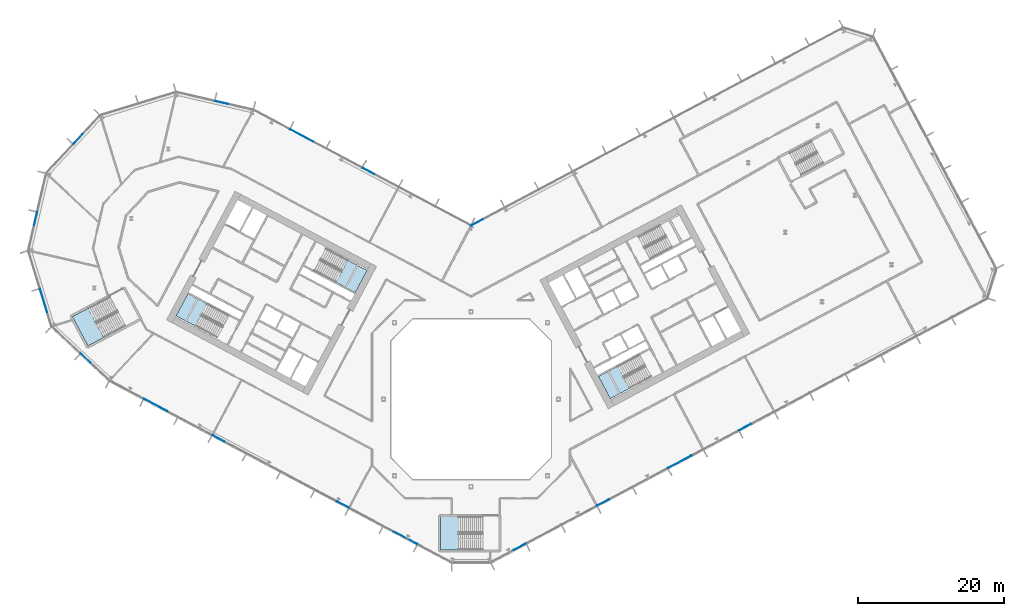
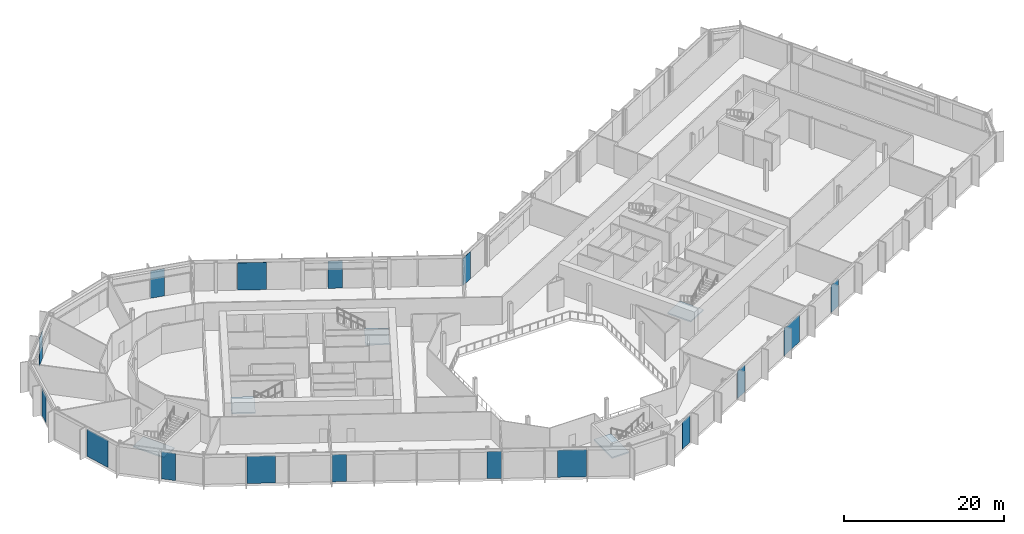
# One storey, part 10 of 30: 16 plates, 5 slabs, 14 elements without a shape of their own.
"""IFC4 building model written with IfcOpenShell, lengths in metres."""

from ifc_helpers import new_model, si_unit, direction, frame, origin, origin_2d, place, context, subcontext, project, spatial, polyline, rectangle, outline, extrude, material, layer, layer_set, type_object, element, aggregate, save


model = new_model("IFC4")

# Units and contexts
model_context = context("Model", 3, precision=1e-05, world=origin(), true_north=direction((0.0, 1.0)))
body_context = subcontext(model_context, "Body", "Model", "MODEL_VIEW")
ifc_project = project(units=[si_unit("LENGTHUNIT", "METRE"), si_unit("AREAUNIT", "SQUARE_METRE"), si_unit("VOLUMEUNIT", "CUBIC_METRE"), si_unit("PLANEANGLEUNIT", "RADIAN"), si_unit("MASSUNIT", "GRAM", prefix="KILO")], contexts=[model_context])

# Site, building, storey
site_placement = place(None, origin())
site = spatial("IfcSite", under=ifc_project, at=site_placement, CompositionType="ELEMENT")
building_placement = place(site_placement, origin())
building = spatial("IfcBuilding", under=site, at=building_placement, Name="Cormorant Relay Tower", CompositionType="ELEMENT")
storey_placement = place(building_placement, frame((0.0, 0.0, 84.60009765625)))
storey = spatial("IfcBuildingStorey", under=building, at=storey_placement, Name="L16", CompositionType="ELEMENT", Elevation=84.60009765625)

# Curtain wall, plates
ifc_material_1 = material(Name="Aluminium 6063-T6 anodised bronze", Category="aluminium")
ifc_layer_1 = layer(ifc_material_1, 0.199951171875)
ifc_layer_set_1 = layer_set([ifc_layer_1], Name="CW1 unitised bronze curtain wall with vertical fins")
curtain_wall_type = type_object("IfcCurtainWallType", Name="CW1 unitised bronze curtain wall with vertical fins", PredefinedType="NOTDEFINED", material=ifc_layer_set_1)
curtain_wall_1_placement = place(storey_placement, origin())
curtain_wall_1 = element("IfcCurtainWall", 1, at=curtain_wall_1_placement, inside=storey, type_object=curtain_wall_type, Name="CW1 curtain wall 2", PredefinedType="NOTDEFINED")
ifc_material_2 = material(Name="Tinted laminated glass", Category="glass")
ifc_layer_2 = layer(ifc_material_2, 0.0400390625)
ifc_layer_set_2 = layer_set([ifc_layer_2], Name="CW1 tinted vision panel 1800 module")
plate_type_1 = type_object("IfcPlateType", Name="CW1 tinted vision panel 1800 module", PredefinedType="CURTAIN_PANEL", material=ifc_layer_set_2)
plate_1_placement = place(storey_placement, frame((6.6640625, -20.26318359375, 0.0), z_axis=(0.0, 0.0, 1.0), x_axis=(0.882947592859, 0.469471562786, 0.0)))
plate_1 = element("IfcPlate", 2, at=plate_1_placement, type_object=plate_type_1, Name="CW1 panel V01", PredefinedType="CURTAIN_PANEL", context=body_context, shape_type="SweptSolid", body=[
    extrude(rectangle(XDim=1.800048828125, YDim=0.0400390625, at=origin_2d()), origin(), (0.0, 0.0, 1.0), 4.14990234375),
])
plate_2_placement = place(storey_placement, frame((18.119140625, -14.172607421875, 0.0), z_axis=(0.0, 0.0, 1.0), x_axis=(0.882947592859, 0.469471562786, 0.0)))
plate_2 = element("IfcPlate", 3, at=plate_2_placement, type_object=plate_type_1, Name="CW1 panel V04", PredefinedType="CURTAIN_PANEL", context=body_context, shape_type="SweptSolid", body=[
    extrude(rectangle(XDim=1.800048828125, YDim=0.0400390625, at=origin_2d()), origin(), (0.0, 0.0, 1.0), 4.14990234375),
])
plate_3_placement = place(storey_placement, frame((37.585693359375, -3.822021484375, 0.0), z_axis=(0.0, 0.0, 1.0), x_axis=(0.882947592859, 0.469471562786, 0.0)))
plate_3 = element("IfcPlate", 4, at=plate_3_placement, type_object=plate_type_1, Name="CW1 panel V08", PredefinedType="CURTAIN_PANEL", context=body_context, shape_type="SweptSolid", body=[
    extrude(rectangle(XDim=1.800048828125, YDim=0.0400390625, at=origin_2d()), origin(), (0.0, 0.0, 1.0), 4.14990234375),
])

# Curtain wall, plate
curtain_wall_2_placement = place(storey_placement, origin())
curtain_wall_2 = element("IfcCurtainWall", 5, at=curtain_wall_2_placement, inside=storey, type_object=curtain_wall_type, Name="CW1 curtain wall 6", PredefinedType="NOTDEFINED")
plate_4_placement = place(storey_placement, frame((0.785400390625, 24.22412109375, 0.0), z_axis=(0.0, 0.0, 1.0), x_axis=(-0.882947592859, -0.469471562786, 0.0)))
plate_4 = element("IfcPlate", 6, at=plate_4_placement, type_object=plate_type_1, Name="CW1 panel V10", PredefinedType="CURTAIN_PANEL", context=body_context, shape_type="SweptSolid", body=[
    extrude(rectangle(XDim=1.800048828125, YDim=0.0400390625, at=origin_2d()), origin(), (0.0, 0.0, 1.0), 4.14990234375),
])
aggregate(curtain_wall_2, [plate_4])

curtain_wall_3_placement = place(storey_placement, origin())
curtain_wall_3 = element("IfcCurtainWall", 7, at=curtain_wall_3_placement, inside=storey, type_object=curtain_wall_type, Name="CW1 curtain wall 7", PredefinedType="NOTDEFINED")
plate_5_placement = place(storey_placement, frame((-14.066650390625, 31.285888671875, 0.0), z_axis=(0.0, 0.0, 1.0), x_axis=(-0.882947592859, 0.469471562786, 0.0)))
plate_5 = element("IfcPlate", 8, at=plate_5_placement, type_object=plate_type_1, Name="CW1 panel V02", PredefinedType="CURTAIN_PANEL", context=body_context, shape_type="SweptSolid", body=[
    extrude(rectangle(XDim=1.800048828125, YDim=0.0400390625, at=origin_2d()), origin(), (0.0, 0.0, 1.0), 4.14990234375),
])

curtain_wall_4_placement = place(storey_placement, origin())
curtain_wall_4 = element("IfcCurtainWall", 9, at=curtain_wall_4_placement, inside=storey, type_object=curtain_wall_type, Name="CW1 curtain wall 8", PredefinedType="NOTDEFINED")
plate_6_placement = place(storey_placement, frame((-34.215087890625, 40.69091796875, 0.0), z_axis=(0.0, 0.0, 1.0), x_axis=(-0.974370064785, 0.224951054344, 0.0)))
plate_6 = element("IfcPlate", 10, at=plate_6_placement, type_object=plate_type_1, Name="CW1 panel V01", PredefinedType="CURTAIN_PANEL", context=body_context, shape_type="SweptSolid", body=[
    extrude(rectangle(XDim=1.800048828125, YDim=0.0400390625, at=origin_2d()), origin(), (0.0, 0.0, 1.0), 4.14990234375),
])
aggregate(curtain_wall_4, [plate_6])

curtain_wall_5_placement = place(storey_placement, origin())
curtain_wall_5 = element("IfcCurtainWall", 11, at=curtain_wall_5_placement, inside=storey, type_object=curtain_wall_type, Name="CW1 curtain wall 10", PredefinedType="NOTDEFINED")
plate_7_placement = place(storey_placement, frame((-53.91748046875, 35.68701171875, 0.0), z_axis=(0.0, 0.0, 1.0), x_axis=(-0.681998360062, -0.731353701619, 0.0)))
plate_7 = element("IfcPlate", 12, at=plate_7_placement, type_object=plate_type_1, Name="CW1 panel V01", PredefinedType="CURTAIN_PANEL", context=body_context, shape_type="SweptSolid", body=[
    extrude(rectangle(XDim=1.800048828125, YDim=0.0400390625, at=origin_2d()), origin(), (0.0, 0.0, 1.0), 4.14990234375),
])
aggregate(curtain_wall_5, [plate_7])

curtain_wall_6_placement = place(storey_placement, origin())
curtain_wall_6 = element("IfcCurtainWall", 13, at=curtain_wall_6_placement, inside=storey, type_object=curtain_wall_type, Name="CW1 curtain wall 11", PredefinedType="NOTDEFINED")
plate_8_placement = place(storey_placement, frame((-59.736083984375, 24.74365234375, 0.0), z_axis=(0.0, 0.0, 1.0), x_axis=(-0.224951054344, -0.974370064785, 0.0)))
plate_8 = element("IfcPlate", 14, at=plate_8_placement, type_object=plate_type_1, Name="CW1 panel V01", PredefinedType="CURTAIN_PANEL", context=body_context, shape_type="SweptSolid", body=[
    extrude(rectangle(XDim=1.800048828125, YDim=0.0400390625, at=origin_2d()), origin(), (0.0, 0.0, 1.0), 4.14990234375),
])
aggregate(curtain_wall_6, [plate_8])

curtain_wall_7_placement = place(storey_placement, origin())
curtain_wall_7 = element("IfcCurtainWall", 15, at=curtain_wall_7_placement, inside=storey, type_object=curtain_wall_type, Name="CW1 curtain wall 13", PredefinedType="NOTDEFINED")
plate_9_placement = place(storey_placement, frame((-52.8671875, 5.611572265625, 0.0), z_axis=(0.0, 0.0, 1.0), x_axis=(0.731353701619, -0.681998360062, 0.0)))
plate_9 = element("IfcPlate", 16, at=plate_9_placement, type_object=plate_type_1, Name="CW1 panel V01", PredefinedType="CURTAIN_PANEL", context=body_context, shape_type="SweptSolid", body=[
    extrude(rectangle(XDim=1.800048828125, YDim=0.0400390625, at=origin_2d()), origin(), (0.0, 0.0, 1.0), 4.14990234375),
])
aggregate(curtain_wall_7, [plate_9])

# Curtain wall, plates
curtain_wall_8_placement = place(storey_placement, origin())
curtain_wall_8 = element("IfcCurtainWall", 17, at=curtain_wall_8_placement, inside=storey, type_object=curtain_wall_type, Name="CW1 curtain wall 14", PredefinedType="NOTDEFINED")
plate_10_placement = place(storey_placement, frame((-34.6572265625, -5.37890625, 0.0), z_axis=(0.0, 0.0, 1.0), x_axis=(0.882947592859, -0.469471562786, 0.0)))
plate_10 = element("IfcPlate", 18, at=plate_10_placement, type_object=plate_type_1, Name="CW1 panel V03", PredefinedType="CURTAIN_PANEL", context=body_context, shape_type="SweptSolid", body=[
    extrude(rectangle(XDim=1.800048828125, YDim=0.0400390625, at=origin_2d()), origin(), (0.0, 0.0, 1.0), 4.14990234375),
])
plate_11_placement = place(storey_placement, frame((-17.601806640625, -14.447509765625, 0.0), z_axis=(0.0, 0.0, 1.0), x_axis=(0.882947592859, -0.469471562786, 0.0)))
plate_11 = element("IfcPlate", 19, at=plate_11_placement, type_object=plate_type_1, Name="CW1 panel V06", PredefinedType="CURTAIN_PANEL", context=body_context, shape_type="SweptSolid", body=[
    extrude(rectangle(XDim=1.800048828125, YDim=0.0400390625, at=origin_2d()), origin(), (0.0, 0.0, 1.0), 4.14990234375),
])

# Plate
ifc_material_3 = material(Name="Tinted laminated glass", Category="glass")
ifc_layer_3 = layer(ifc_material_3, 0.0400390625)
ifc_layer_set_3 = layer_set([ifc_layer_3], Name="CW1 tinted vision panel 3600 module")
plate_type_2 = type_object("IfcPlateType", Name="CW1 tinted vision panel 3600 module", PredefinedType="CURTAIN_PANEL", material=ifc_layer_set_3)
plate_12_placement = place(storey_placement, frame((28.647216796875, -8.57470703125, 0.0), z_axis=(0.0, 0.0, 1.0), x_axis=(0.882947592859, 0.469471562786, 0.0)))
plate_12 = element("IfcPlate", 20, at=plate_12_placement, type_object=plate_type_2, Name="CW1 panel V06", PredefinedType="CURTAIN_PANEL", context=body_context, shape_type="SweptSolid", body=[
    extrude(rectangle(XDim=3.60009765625, YDim=0.0400390625, at=origin_2d()), origin(), (0.0, 0.0, 1.0), 4.14990234375),
])

aggregate(curtain_wall_1, [plate_1, plate_2, plate_12, plate_3])

plate_13_placement = place(storey_placement, frame((-23.22998046875, 36.158203125, 0.0), z_axis=(0.0, 0.0, 1.0), x_axis=(-0.882947592859, 0.469471562786, 0.0)))
plate_13 = element("IfcPlate", 21, at=plate_13_placement, type_object=plate_type_2, Name="CW1 panel V04", PredefinedType="CURTAIN_PANEL", context=body_context, shape_type="SweptSolid", body=[
    extrude(rectangle(XDim=3.60009765625, YDim=0.0400390625, at=origin_2d()), origin(), (0.0, 0.0, 1.0), 4.14990234375),
])

aggregate(curtain_wall_3, [plate_5, plate_13])

# Curtain wall, plate
curtain_wall_9_placement = place(storey_placement, origin())
curtain_wall_9 = element("IfcCurtainWall", 22, at=curtain_wall_9_placement, inside=storey, type_object=curtain_wall_type, Name="CW1 curtain wall 12", PredefinedType="NOTDEFINED")
plate_14_placement = place(storey_placement, frame((-58.601806640625, 13.396728515625, 0.0), z_axis=(0.0, 0.0, 1.0), x_axis=(0.292371704723, -0.956304755963, 0.0)))
plate_14 = element("IfcPlate", 23, at=plate_14_placement, type_object=plate_type_2, Name="CW1 panel V01", PredefinedType="CURTAIN_PANEL", context=body_context, shape_type="SweptSolid", body=[
    extrude(rectangle(XDim=3.60009765625, YDim=0.0400390625, at=origin_2d()), origin(), (0.0, 0.0, 1.0), 4.14990234375),
])
aggregate(curtain_wall_9, [plate_14])

# Plate
plate_15_placement = place(storey_placement, frame((-43.251220703125, -0.8095703125, 0.0), z_axis=(0.0, 0.0, 1.0), x_axis=(0.882947592859, -0.469471562786, 0.0)))
plate_15 = element("IfcPlate", 24, at=plate_15_placement, type_object=plate_type_2, Name="CW1 panel V01", PredefinedType="CURTAIN_PANEL", context=body_context, shape_type="SweptSolid", body=[
    extrude(rectangle(XDim=3.60009765625, YDim=0.0400390625, at=origin_2d()), origin(), (0.0, 0.0, 1.0), 4.14990234375),
])

plate_16_placement = place(storey_placement, frame((-9.008056640625, -19.01708984375, 0.0), z_axis=(0.0, 0.0, 1.0), x_axis=(0.882947592859, -0.469471562786, 0.0)))
plate_16 = element("IfcPlate", 25, at=plate_16_placement, type_object=plate_type_2, Name="CW1 panel V08", PredefinedType="CURTAIN_PANEL", context=body_context, shape_type="SweptSolid", body=[
    extrude(rectangle(XDim=3.60009765625, YDim=0.0400390625, at=origin_2d()), origin(), (0.0, 0.0, 1.0), 4.14990234375),
])

aggregate(curtain_wall_8, [plate_15, plate_10, plate_11, plate_16])

# Stair, slab
ifc_material_4 = material(Name="Concrete 40 MPa", Category="concrete")
stair_type_1 = type_object("IfcStairType", Name="Exit stair 1500", PredefinedType="HALF_TURN_STAIR", material=ifc_material_4)
stair_1_placement = place(storey_placement, origin())
stair_1 = element("IfcStair", 26, at=stair_1_placement, inside=storey, type_object=stair_type_1, Name="L16 Stair", PredefinedType="HALF_TURN_STAIR")
ifc_material_5 = material(Name="Concrete 40 MPa", Category="concrete")
ifc_layer_4 = layer(ifc_material_5, 0.199951171875)
ifc_layer_set_4 = layer_set([ifc_layer_4], Name="Exit stair landing 200")
slab_type = type_object("IfcSlabType", Name="Exit stair landing 200", PredefinedType="LANDING", material=ifc_layer_set_4)
slab_1_placement = place(storey_placement, frame((0.0, 0.0, 2.099853515625)))
slab_1 = element("IfcSlab", 27, at=slab_1_placement, type_object=slab_type, Name="A1 landing 1", PredefinedType="LANDING", context=body_context, shape_type="SweptSolid", body=[
    extrude(outline(polyline([(-18.534912109375, 16.02783203125), (-15.89501953125, 14.6240234375), (-14.275390625, 17.670166015625), (-16.915283203125, 19.073974609375), (-18.534912109375, 16.02783203125)])), origin(), (0.0, 0.0, 1.0), 0.199951171875),
])
aggregate(stair_1, [slab_1])

stair_2_placement = place(storey_placement, origin())
stair_2 = element("IfcStair", 28, at=stair_2_placement, inside=storey, type_object=stair_type_1, Name="L16 Stair", PredefinedType="HALF_TURN_STAIR")
slab_2_placement = place(storey_placement, frame((0.0, 0.0, 2.099853515625)))
slab_2 = element("IfcSlab", 29, at=slab_2_placement, type_object=slab_type, Name="A2 landing 1", PredefinedType="LANDING", context=body_context, shape_type="SweptSolid", body=[
    extrude(outline(polyline([(-36.207763671875, 13.07958984375), (-38.84765625, 14.483154296875), (-40.467529296875, 11.43701171875), (-37.827392578125, 10.033447265625), (-36.207763671875, 13.07958984375)])), origin(), (0.0, 0.0, 1.0), 0.199951171875),
])
aggregate(stair_2, [slab_2])

stair_3_placement = place(storey_placement, origin())
stair_3 = element("IfcStair", 30, at=stair_3_placement, inside=storey, type_object=stair_type_1, Name="L16 Stair", PredefinedType="HALF_TURN_STAIR")
slab_3_placement = place(storey_placement, frame((0.0, 0.0, 2.099853515625)))
slab_3 = element("IfcSlab", 31, at=slab_3_placement, type_object=slab_type, Name="B1 landing 1", PredefinedType="LANDING", context=body_context, shape_type="SweptSolid", body=[
    extrude(outline(polyline([(20.120361328125, 4.525634765625), (17.48046875, 3.1220703125), (19.10009765625, 0.075927734375), (21.740234375, 1.4794921875), (20.120361328125, 4.525634765625)])), origin(), (0.0, 0.0, 1.0), 0.199951171875),
])
aggregate(stair_3, [slab_3])

ifc_material_6 = material(Name="Concrete 40 MPa", Category="concrete")
stair_type_2 = type_object("IfcStairType", Name="Remote exit stair 2200", PredefinedType="HALF_TURN_STAIR", material=ifc_material_6)
stair_4_placement = place(storey_placement, origin())
stair_4 = element("IfcStair", 32, at=stair_4_placement, inside=storey, type_object=stair_type_2, Name="L16 Stair", PredefinedType="HALF_TURN_STAIR")
slab_4_placement = place(storey_placement, frame((0.0, 0.0, 2.099853515625)))
slab_4 = element("IfcSlab", 33, at=slab_4_placement, type_object=slab_type, Name="RK1 landing 1", PredefinedType="LANDING", context=body_context, shape_type="SweptSolid", body=[
    extrude(outline(polyline([(-1.760009765625, -16.125), (-4.199951171875, -16.125), (-4.199951171875, -20.675048828125), (-1.760009765625, -20.675048828125), (-1.760009765625, -16.125)])), origin(), (0.0, 0.0, 1.0), 0.199951171875),
])
aggregate(stair_4, [slab_4])

stair_5_placement = place(storey_placement, origin())
stair_5 = element("IfcStair", 34, at=stair_5_placement, inside=storey, type_object=stair_type_2, Name="L16 Stair", PredefinedType="HALF_TURN_STAIR")
slab_5_placement = place(storey_placement, frame((0.0, 0.0, 2.099853515625)))
slab_5 = element("IfcSlab", 35, at=slab_5_placement, type_object=slab_type, Name="RP1 landing 1", PredefinedType="LANDING", context=body_context, shape_type="SweptSolid", body=[
    extrude(outline(polyline([(-52.54541015625, 12.476318359375), (-54.699951171875, 11.330810546875), (-52.563720703125, 7.3134765625), (-50.409423828125, 8.458984375), (-52.54541015625, 12.476318359375)])), origin(), (0.0, 0.0, 1.0), 0.199951171875),
])
aggregate(stair_5, [slab_5])

save(model, "model.ifc")
